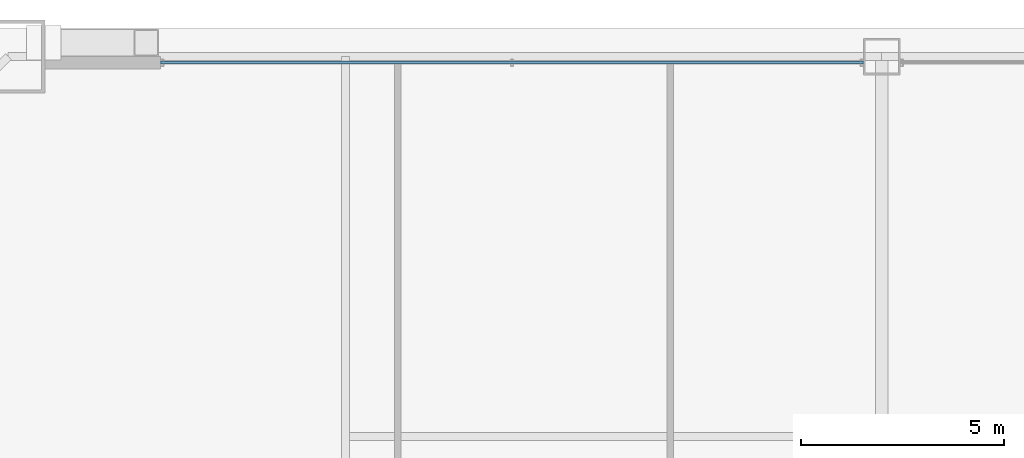
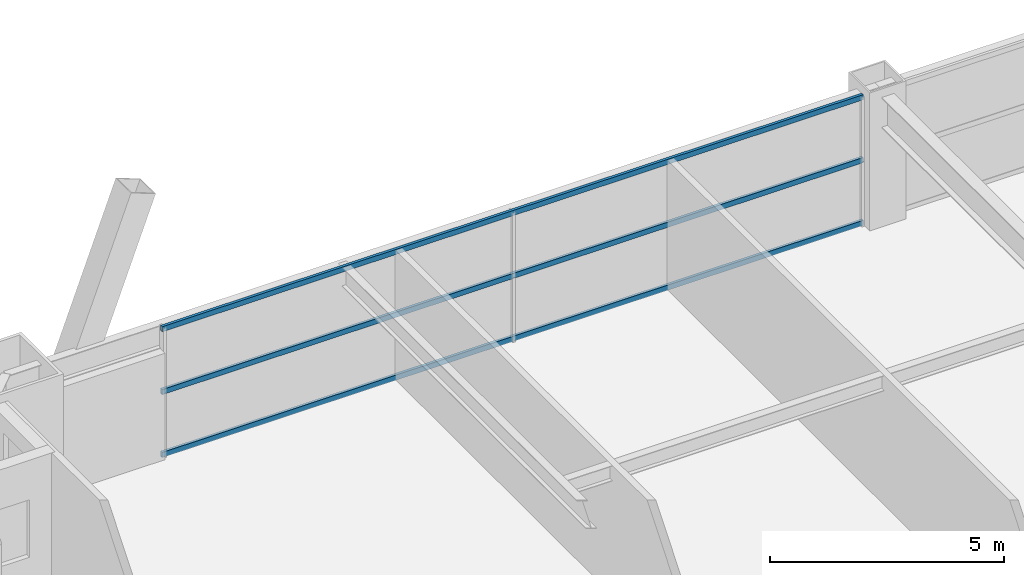
# One storey, part 29 of 43: 3 members, 1 element without a shape of its own.
"""IFC4 building model written with IfcOpenShell, lengths in metres."""

import ifcopenshell
import ifcopenshell.guid

model = None  # the IFC model being written
_history = None  # IfcOwnerHistory: only IFC2X3 demands one
_inside = {}  # id of a spatial element -> (the spatial element, [elements in it])
_under = {}  # id of a project, library or spatial element -> (it, [spatial elements below it])
_declared = {}  # id of a project -> (the project, [libraries it declares])
_typed = {}  # id of a type object -> (the type object, [elements of that type])
_made_of = {}  # id of a material, layer set ... -> (it, [elements and type objects made of it])


def new_model(schema):
    """Start an empty IFC model of exactly this schema.

    Asked for "IFC4X3", IfcOpenShell would pick the latest addendum, in which some entities
    have other attributes; the version numbers below select the first issue.
    IFC2X3 requires an IfcOwnerHistory on every rooted entity: one is made here for all.
    """
    global model, _history
    if schema == "IFC4X3":
        model = ifcopenshell.file(schema_version=(4, 3, 0, 0))
    else:
        model = ifcopenshell.file(schema=schema)
    _inside.clear()
    _under.clear()
    _declared.clear()
    _typed.clear()
    _made_of.clear()
    _history = None
    if model.schema == "IFC2X3":
        org = make("IfcOrganization", Name="unknown")
        user = make(
            "IfcPersonAndOrganization",
            ThePerson=make("IfcPerson", FamilyName="unknown"),
            TheOrganization=org,
        )
        app = make(
            "IfcApplication",
            ApplicationDeveloper=org,
            Version="unknown",
            ApplicationFullName="unknown",
            ApplicationIdentifier="unknown",
        )
        _history = make(
            "IfcOwnerHistory",
            OwningUser=user,
            OwningApplication=app,
            ChangeAction="ADDED",
            CreationDate=0,
        )
    return model


def make(cls, **values):
    """One entity of the class cls with the attributes given. An attribute that is None is left unset."""
    return model.create_entity(
        cls, **{name: value for name, value in values.items() if value is not None}
    )


def rooted(cls, **values):
    """An entity with a GlobalId (a new one), such as an element, a storey or a relation."""
    return make(cls, GlobalId=ifcopenshell.guid.new(), OwnerHistory=_history, **values)


def si_unit(unit_type, name, prefix=None):
    """IfcSIUnit, for example si_unit("LENGTHUNIT", "METRE", prefix="MILLI")."""
    return make("IfcSIUnit", UnitType=unit_type, Prefix=prefix, Name=name)


def assignment(units):
    """IfcUnitAssignment: the units of a project."""
    return None if units is None else make("IfcUnitAssignment", Units=units)


def point(xyz):
    """IfcCartesianPoint."""
    return None if xyz is None else make("IfcCartesianPoint", Coordinates=xyz)


def direction(xyz):
    """IfcDirection."""
    return None if xyz is None else make("IfcDirection", DirectionRatios=xyz)


def frame(location, z_axis=None, x_axis=None):
    """IfcAxis2Placement3D, a coordinate frame: its origin and axes. An axis left out is left unset."""
    return make(
        "IfcAxis2Placement3D",
        Location=point(location),
        Axis=direction(z_axis),
        RefDirection=direction(x_axis),
    )


def frame_2d(location, x_axis=None):
    """IfcAxis2Placement2D, a coordinate frame in the plane: its origin and x axis."""
    return make(
        "IfcAxis2Placement2D", Location=point(location), RefDirection=direction(x_axis)
    )


def origin():
    """The frame at (0, 0, 0) with its axes left unset."""
    return frame((0.0, 0.0, 0.0))


def origin_2d():
    """The frame at (0, 0) in the plane with its x axis left unset."""
    return frame_2d((0.0, 0.0))


def place(relative_to, where):
    """IfcLocalPlacement: puts the frame where relative to a parent placement (None: the world)."""
    return make(
        "IfcLocalPlacement", PlacementRelTo=relative_to, RelativePlacement=where
    )


def context(
    kind, dimensions, precision=None, world=None, true_north=None, identifier=None
):
    """IfcGeometricRepresentationContext, for example the 3D "Model" context."""
    return make(
        "IfcGeometricRepresentationContext",
        ContextIdentifier=identifier,
        ContextType=kind,
        CoordinateSpaceDimension=dimensions,
        Precision=precision,
        WorldCoordinateSystem=world,
        TrueNorth=true_north,
    )


def subcontext(parent, identifier, kind, view, scale=None):
    """IfcGeometricRepresentationSubContext, for example "Body" below "Model"."""
    return make(
        "IfcGeometricRepresentationSubContext",
        ContextIdentifier=identifier,
        ContextType=kind,
        ParentContext=parent,
        TargetScale=scale,
        TargetView=view,
    )


def project(units=None, contexts=None):
    """IfcProject with its units and contexts."""
    return rooted(
        "IfcProject",
        Name="project",
        RepresentationContexts=contexts,
        UnitsInContext=assignment(units),
    )


def spatial(cls, under=None, at=None, **own):
    """A site, building, storey or space (cls), placed at a placement, below another one or the project."""
    s = rooted(cls, ObjectPlacement=at, **own)
    if under is not None:
        _under.setdefault(under.id(), (under, []))[1].append(s)
    return s


def profile(cls, at=None, kind="AREA", **sizes):
    """A parametric profile (cls). Its sizes go by their IFC names, for example OverallWidth=200.0."""
    return make(cls, ProfileType=kind, Position=at, **sizes)


def hollow_rectangle(**sizes):
    """IfcRectangleHollowProfileDef."""
    return profile("IfcRectangleHollowProfileDef", **sizes)


def extrude(swept, where, along, depth):
    """IfcExtrudedAreaSolid: the profile swept, set in the frame where, extruded along a direction by depth."""
    return make(
        "IfcExtrudedAreaSolid",
        SweptArea=swept,
        Position=where,
        ExtrudedDirection=direction(along),
        Depth=depth,
    )


def shape(context_of_items, identifier, shape_type, items):
    """IfcShapeRepresentation: the items that make up one representation, for example the "Body"."""
    return make(
        "IfcShapeRepresentation",
        ContextOfItems=context_of_items,
        RepresentationIdentifier=identifier,
        RepresentationType=shape_type,
        Items=items,
    )


def source(mapping_origin, context_of_items, identifier, shape_type, items):
    """IfcRepresentationMap: a shape defined once, which mapped items show again and again."""
    return make(
        "IfcRepresentationMap",
        MappingOrigin=mapping_origin,
        MappedRepresentation=shape(context_of_items, identifier, shape_type, items),
    )


def transform(
    local_origin,
    x_axis=None,
    y_axis=None,
    z_axis=None,
    scale=None,
    scale2=None,
    scale3=None,
    uniform=True,
):
    """IfcCartesianTransformationOperator3D, or its non-uniform kind. x_axis, y_axis, z_axis: its Axis1, 2, 3."""
    if uniform:
        return make(
            "IfcCartesianTransformationOperator3D",
            Axis1=direction(x_axis),
            Axis2=direction(y_axis),
            LocalOrigin=point(local_origin),
            Scale=scale,
            Axis3=direction(z_axis),
        )
    return make(
        "IfcCartesianTransformationOperator3DnonUniform",
        Axis1=direction(x_axis),
        Axis2=direction(y_axis),
        LocalOrigin=point(local_origin),
        Scale=scale,
        Axis3=direction(z_axis),
        Scale2=scale2,
        Scale3=scale3,
    )


def mapped(mapping_source, mapping_target):
    """IfcMappedItem: shows the shape of a source again, moved by a transform."""
    return make(
        "IfcMappedItem", MappingSource=mapping_source, MappingTarget=mapping_target
    )


def material(Name=None, Category=None):
    """IfcMaterial."""
    return make("IfcMaterial", Name=Name, Category=Category)


def layer(
    of_material, thickness, ventilated=None, Name=None, Category=None, Priority=None
):
    """IfcMaterialLayer: one layer of a wall or slab, of a material (None: an air gap)."""
    return make(
        "IfcMaterialLayer",
        Material=of_material,
        LayerThickness=thickness,
        IsVentilated=ventilated,
        Name=Name,
        Category=Category,
        Priority=Priority,
    )


def layer_set(layers, Name=None):
    """IfcMaterialLayerSet."""
    return make("IfcMaterialLayerSet", MaterialLayers=layers, LayerSetName=Name)


def material_profile(
    of_material, cross_section, Name=None, Category=None, Priority=None
):
    """IfcMaterialProfile: a cross section and its material."""
    return make(
        "IfcMaterialProfile",
        Name=Name,
        Material=of_material,
        Profile=cross_section,
        Priority=Priority,
        Category=Category,
    )


def profile_set(profiles, Name=None, composite=None):
    """IfcMaterialProfileSet."""
    return make(
        "IfcMaterialProfileSet",
        Name=Name,
        MaterialProfiles=profiles,
        CompositeProfile=composite,
    )


def made_of(thing, what):
    """Note that an element or type object is made of a material, layer set ...; save() writes the relation."""
    if what is not None:
        _made_of.setdefault(what.id(), (what, []))[1].append(thing)
    return thing


def type_object(cls, material=None, **own):
    """A type object (cls), such as IfcWallType, which elements share."""
    return made_of(rooted(cls, **own), material)


def element(
    cls,
    number,
    at=None,
    inside=None,
    cuts=None,
    type_object=None,
    material=None,
    context=None,
    identifier="Body",
    shape_type=None,
    held_by="IfcProductDefinitionShape",
    body=None,
    shapes=None,
    **own,
):
    """One element of the class cls, such as IfcWall. Its Tag is "e" and its number.

    at: its placement. inside: the storey or other place that contains it. cuts: it is an
    opening in that element (IfcRelVoidsElement). A single representation is given by context,
    identifier, shape_type and body (its items); several are given by shapes. held_by: the class
    of the entity that holds the representations. save() writes the other relations.
    """
    e = rooted(cls, Tag="e%d" % number, ObjectPlacement=at, **own)
    if body is not None:
        shapes = [shape(context, identifier, shape_type, body)]
    if shapes is not None:
        e.Representation = make(held_by, Representations=shapes)
    if inside is not None:
        _inside.setdefault(inside.id(), (inside, []))[1].append(e)
    if cuts is not None:
        rooted(
            "IfcRelVoidsElement", RelatingBuildingElement=cuts, RelatedOpeningElement=e
        )
    if type_object is not None:
        _typed.setdefault(type_object.id(), (type_object, []))[1].append(e)
    return made_of(e, material)


def aggregate(whole, parts):
    """IfcRelAggregates: a whole, such as a stair, and the parts it consists of."""
    return rooted("IfcRelAggregates", RelatingObject=whole, RelatedObjects=parts)


def save(model, path):
    """Write the relations noted so far, then the file.

    IfcRelAggregates (storeys below a building ...), IfcRelContainedInSpatialStructure (elements
    in a storey), IfcRelDefinesByType, IfcRelAssociatesMaterial and IfcRelDeclares: one each for
    every whole, place, type object, material and project.
    """
    for whole, parts in _under.values():
        aggregate(whole, parts)
    for where, things in _inside.values():
        rooted(
            "IfcRelContainedInSpatialStructure",
            RelatedElements=things,
            RelatingStructure=where,
        )
    for kind, things in _typed.values():
        rooted("IfcRelDefinesByType", RelatedObjects=things, RelatingType=kind)
    for what, things in _made_of.values():
        rooted("IfcRelAssociatesMaterial", RelatedObjects=things, RelatingMaterial=what)
    for by, libraries in _declared.values():
        rooted("IfcRelDeclares", RelatingContext=by, RelatedDefinitions=libraries)
    model.write(path)


model = new_model("IFC4")

# Units and contexts
model_context = context("Model", 3, precision=1e-05, world=origin(), true_north=direction((0.0, 1.0)))
body_context = subcontext(model_context, "Body", "Model", "MODEL_VIEW")
ifc_project = project(units=[si_unit("LENGTHUNIT", "METRE"), si_unit("AREAUNIT", "SQUARE_METRE"), si_unit("VOLUMEUNIT", "CUBIC_METRE"), si_unit("PLANEANGLEUNIT", "RADIAN"), si_unit("MASSUNIT", "GRAM", prefix="KILO"), si_unit("THERMODYNAMICTEMPERATUREUNIT", "KELVIN"), si_unit("POWERUNIT", "WATT")], contexts=[model_context])

# Site, building, storey
site_placement = place(None, origin())
site = spatial("IfcSite", under=ifc_project, at=site_placement, CompositionType="ELEMENT")
building_placement = place(site_placement, origin())
building = spatial("IfcBuilding", under=site, at=building_placement, Name="Yuzanri Waterfront Tower", CompositionType="ELEMENT")
storey_placement = place(building_placement, frame((0.0, 0.0, 60.39990234375)))
storey = spatial("IfcBuildingStorey", under=building, at=storey_placement, Name="L15", CompositionType="ELEMENT", Elevation=60.39990234375)

# Curtain wall, members
ifc_material_1 = material(Name="Anodized Architectural Bronze", Category="metal")
ifc_layer = layer(ifc_material_1, 0.159912109375)
ifc_layer_set = layer_set([ifc_layer], Name="Anodized Architectural Bronze")
curtain_wall_type = type_object("IfcCurtainWallType", Name="Anodized Bronze Hotel Lower-Tier Recessed Unitized Curtain Wall 8100", PredefinedType="NOTDEFINED", material=ifc_layer_set)
curtain_wall_placement = place(storey_placement, origin())
curtain_wall = element("IfcCurtainWall", 1, at=curtain_wall_placement, inside=storey, type_object=curtain_wall_type, Name="L15 Curtain Wall CW-L15-NL", PredefinedType="NOTDEFINED")
ifc_material_2 = material(Name="Anodized Architectural Bronze", Category="metal")
ifc_material_profile = material_profile(ifc_material_2, hollow_rectangle(XDim=0.070068359375, YDim=0.135009765625, WallThickness=0.00341796875, at=origin_2d()), Name="CWT 70x135")
ifc_profile_set = profile_set([ifc_material_profile], Name="Anodized Architectural Bronze")
member_type = type_object("IfcMemberType", Name="Anodized Bronze Standard Curtain-Wall Transom 70x135", PredefinedType="USERDEFINED", material=ifc_profile_set)
shared_shape = source(origin(), body_context, "Body", "SweptSolid", [
    extrude(hollow_rectangle(XDim=0.070068359375, YDim=0.135009765625, WallThickness=0.00341796875, at=origin_2d()), origin(), (0.0, 0.0, 1.0), 17.300048828125),
])
member_1_placement = place(storey_placement, frame((19.25, 50.75, 0.050048828125), z_axis=(1.0, 0.0, 0.0), x_axis=(0.0, 1.0, 0.0)))
member_1 = element("IfcMember", 2, at=member_1_placement, type_object=member_type, Name="CW-L15-NL Transom 1", ObjectType="TRANSOM", PredefinedType="USERDEFINED", context=body_context, shape_type="MappedRepresentation", body=[
    mapped(shared_shape, transform((0.0, 0.0, 0.0), scale=1.0)),
])
member_2_placement = place(storey_placement, frame((19.25, 50.75, 1.690185546875), z_axis=(1.0, 0.0, 0.0), x_axis=(0.0, 1.0, 0.0)))
member_2 = element("IfcMember", 3, at=member_2_placement, type_object=member_type, Name="CW-L15-NL Transom 2", ObjectType="TRANSOM", PredefinedType="USERDEFINED", context=body_context, shape_type="MappedRepresentation", body=[
    mapped(shared_shape, transform((0.0, 0.0, 0.0), scale=1.0)),
])
member_3_placement = place(storey_placement, frame((19.25, 50.75, 3.330078125), z_axis=(1.0, 0.0, 0.0), x_axis=(0.0, 1.0, 0.0)))
member_3 = element("IfcMember", 4, at=member_3_placement, type_object=member_type, Name="CW-L15-NL Transom 3", ObjectType="TRANSOM", PredefinedType="USERDEFINED", context=body_context, shape_type="MappedRepresentation", body=[
    mapped(shared_shape, transform((0.0, 0.0, 0.0), scale=1.0)),
])
aggregate(curtain_wall, [member_1, member_2, member_3])

save(model, "model.ifc")
